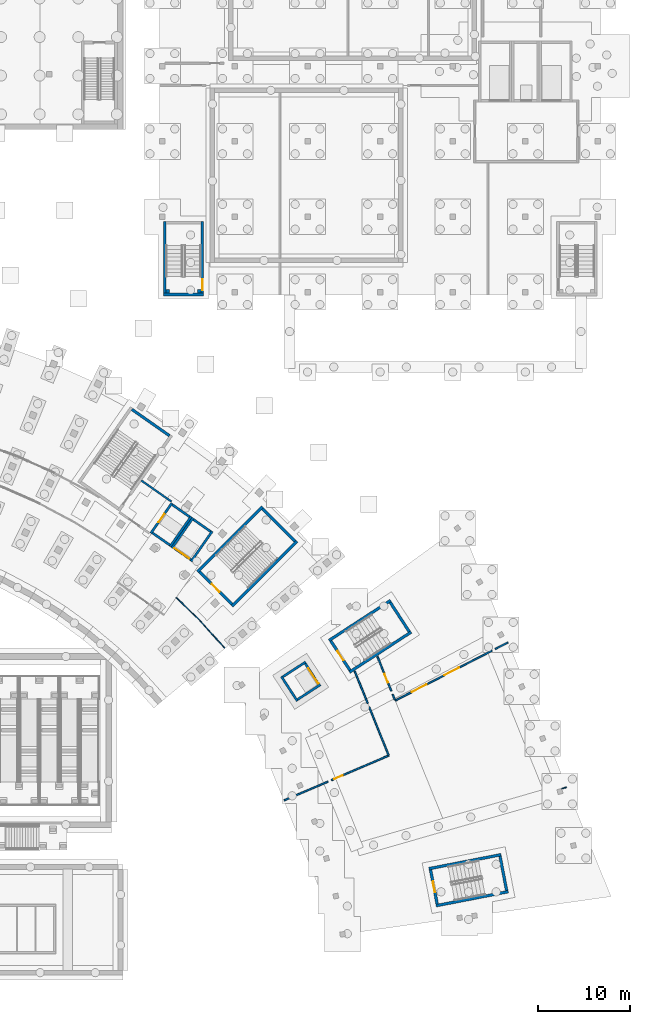
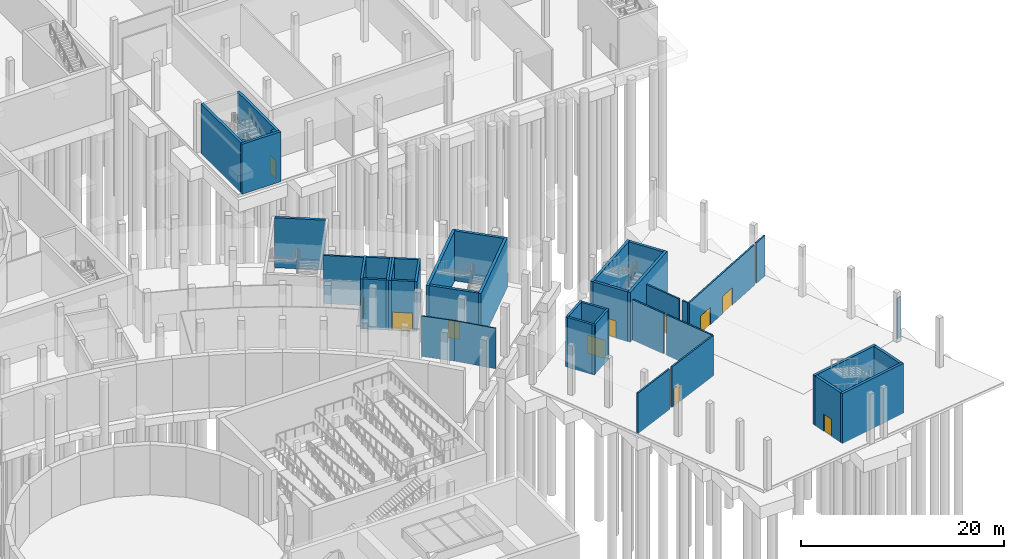
# One storey, part 28 of 66: 42 walls, 11 doors, 11 openings.
"""IFC4 building model written with IfcOpenShell, lengths in metres."""

from ifc_helpers import new_model, si_unit, direction, frame, frame_2d, origin, place, context, subcontext, project, spatial, rectangle, extrude, material, layer, layer_set, type_object, element, fill, save


model = new_model("IFC4")

# Units and contexts
model_context = context("Model", 3, precision=1e-05, world=origin(), true_north=direction((0.0, 1.0)))
body_context = subcontext(model_context, "Body", "Model", "MODEL_VIEW")
ifc_project = project(units=[si_unit("LENGTHUNIT", "METRE"), si_unit("AREAUNIT", "SQUARE_METRE"), si_unit("VOLUMEUNIT", "CUBIC_METRE"), si_unit("PLANEANGLEUNIT", "RADIAN"), si_unit("MASSUNIT", "GRAM", prefix="KILO")], contexts=[model_context])

# Site, building, storey
site_placement = place(None, origin())
site = spatial("IfcSite", under=ifc_project, at=site_placement, CompositionType="ELEMENT")
building_placement = place(site_placement, origin())
building = spatial("IfcBuilding", under=site, at=building_placement, Name="Lunette Opera House", CompositionType="ELEMENT")
storey_placement = place(building_placement, frame((0.0, 0.0, -6.0)))
storey = spatial("IfcBuildingStorey", under=building, at=storey_placement, Name="B1", CompositionType="ELEMENT", Elevation=-6.0)

# Wall
ifc_material_1 = material(Name="Plastered clay blockwork", Category="masonry")
ifc_layer_1 = layer(ifc_material_1, 0.175048828125)
ifc_layer_set_1 = layer_set([ifc_layer_1], Name="Plastered clay blockwork")
wall_type_1 = type_object("IfcWallType", Name="ACOUSTIC BLOCK PARTITION 175", PredefinedType="PARTITIONING", material=ifc_layer_set_1)
wall_1_placement = place(storey_placement, frame((172.51708984375, 39.464111328125, 0.0), z_axis=(0.0, 0.0, 1.0), x_axis=(0.888703214067, 0.458482930225, 0.0)))
element("IfcWall", 1, at=wall_1_placement, inside=storey, type_object=wall_type_1, Name="Partition Studio Understage Store", PredefinedType="PARTITIONING", context=body_context, shape_type="SweptSolid", body=[
    extrude(rectangle(XDim=1.554931640625, YDim=0.175048828125, at=frame_2d((0.77734375, 0.0))), origin(), (0.0, 0.0, 1.0), 4.8798828125),
])

# Wall, openings, doors
wall_2_placement = place(storey_placement, frame((161.635009765625, 33.85107421875, 0.0), z_axis=(0.0, 0.0, 1.0), x_axis=(0.888715235669, 0.458459627327, 0.0)))
wall_2 = element("IfcWall", 2, at=wall_2_placement, inside=storey, type_object=wall_type_1, Name="Partition Studio Understage Store", PredefinedType="PARTITIONING", context=body_context, shape_type="SweptSolid", body=[
    extrude(rectangle(XDim=11.841796875, YDim=0.175048828125, at=frame_2d((5.9208984375, 0.0))), origin(), (0.0, 0.0, 1.0), 4.8798828125),
])
opening_1_placement = place(wall_2_placement, frame((6.02490234375, 0.0, 0.0)))
opening_1 = element("IfcOpeningElement", 3, at=opening_1_placement, cuts=wall_2, Name="Opening SB-D3002", PredefinedType="OPENING", context=body_context, shape_type="SweptSolid", body=[
    extrude(rectangle(XDim=1.800048828125, YDim=2.10009765625, at=frame_2d((0.89990234375, 1.050048828125))), frame((0.0, 0.099609375, 0.0), z_axis=(0.0, -1.0, 0.0), x_axis=(1.0, 0.0, 0.0)), (0.0, 0.0, 1.0), 0.198974609375),
])
opening_2_placement = place(wall_2_placement, frame((2.02490234375, 0.0, 0.0)))
opening_2 = element("IfcOpeningElement", 4, at=opening_2_placement, cuts=wall_2, Name="Opening SB-D3003", PredefinedType="OPENING", context=body_context, shape_type="SweptSolid", body=[
    extrude(rectangle(XDim=1.800048828125, YDim=2.10009765625, at=frame_2d((0.89990234375, 1.050048828125))), frame((0.0, 0.099609375, 0.0), z_axis=(0.0, -1.0, 0.0), x_axis=(1.0, 0.0, 0.0)), (0.0, 0.0, 1.0), 0.198974609375),
])
ifc_material_2 = material(Name="Timber", Category="wood")
door_type_1 = type_object("IfcDoorType", Name="DOUBLE FLUSH DOOR 1800 X 2100", OperationType="DOUBLE_DOOR_SINGLE_SWING", PredefinedType="DOOR", material=ifc_material_2)
door_1_placement = place(opening_1_placement, origin())
door_1 = element("IfcDoor", 5, at=door_1_placement, inside=storey, type_object=door_type_1, Name="Studio Dressing Rooms Lower door", OperationType="DOUBLE_DOOR_SINGLE_SWING", OverallHeight=2.10009765625, OverallWidth=1.800048828125, PredefinedType="DOOR", context=body_context, shape_type="SweptSolid", body=[
    extrude(rectangle(XDim=1.800048828125, YDim=2.10009765625, at=frame_2d((0.89990234375, 1.050048828125))), frame((0.0, 0.02490234375, 0.0), z_axis=(0.0, -1.0, 0.0), x_axis=(1.0, 0.0, 0.0)), (0.0, 0.0, 1.0), 0.050048828125),
])
fill(opening_1, door_1)
door_2_placement = place(opening_2_placement, origin())
door_2 = element("IfcDoor", 6, at=door_2_placement, inside=storey, type_object=door_type_1, Name="Studio Dressing Rooms Lower door", OperationType="DOUBLE_DOOR_SINGLE_SWING", OverallHeight=2.10009765625, OverallWidth=1.800048828125, PredefinedType="DOOR", context=body_context, shape_type="SweptSolid", body=[
    extrude(rectangle(XDim=1.800048828125, YDim=2.10009765625, at=frame_2d((0.89990234375, 1.050048828125))), frame((0.0, 0.02490234375, 0.0), z_axis=(0.0, -1.0, 0.0), x_axis=(1.0, 0.0, 0.0)), (0.0, 0.0, 1.0), 0.050048828125),
])
fill(opening_2, door_2)

# Wall, opening, door
wall_3_placement = place(storey_placement, frame((154.68603515625, 25.193115234375, 0.0), z_axis=(0.0, 0.0, 1.0), x_axis=(0.918961170443, 0.394348028038, 0.0)))
wall_3 = element("IfcWall", 7, at=wall_3_placement, inside=storey, type_object=wall_type_1, Name="Partition Studio Plant Room", PredefinedType="PARTITIONING", context=body_context, shape_type="SweptSolid", body=[
    extrude(rectangle(XDim=6.80322265625, YDim=0.175048828125, at=frame_2d((3.401611328125, 0.0))), origin(), (0.0, 0.0, 1.0), 4.8798828125),
])
opening_3_placement = place(wall_3_placement, frame((0.3349609375, 0.0, 0.0)))
opening_3 = element("IfcOpeningElement", 8, at=opening_3_placement, cuts=wall_3, Name="Opening SB-D3004", PredefinedType="OPENING", context=body_context, shape_type="SweptSolid", body=[
    extrude(rectangle(XDim=1.0, YDim=2.10009765625, at=frame_2d((0.5, 1.050048828125))), frame((0.0, 0.099609375, 0.0), z_axis=(0.0, -1.0, 0.0), x_axis=(1.0, 0.0, 0.0)), (0.0, 0.0, 1.0), 0.198974609375),
])
ifc_material_3 = material(Name="Timber", Category="wood")
door_type_2 = type_object("IfcDoorType", Name="FLUSH DOOR 1000 X 2100", OperationType="SINGLE_SWING_LEFT", PredefinedType="DOOR", material=ifc_material_3)
door_3_placement = place(opening_3_placement, origin())
door_3 = element("IfcDoor", 9, at=door_3_placement, inside=storey, type_object=door_type_2, Name="Studio Plant Room door", OperationType="SINGLE_SWING_LEFT", OverallHeight=2.10009765625, OverallWidth=1.0, PredefinedType="DOOR", context=body_context, shape_type="SweptSolid", body=[
    extrude(rectangle(XDim=1.0, YDim=2.10009765625, at=frame_2d((0.5, 1.050048828125))), frame((0.0, 0.02490234375, 0.0), z_axis=(0.0, -1.0, 0.0), x_axis=(1.0, 0.0, 0.0)), (0.0, 0.0, 1.0), 0.050048828125),
])
fill(opening_3, door_3)

# Walls
wall_4_placement = place(storey_placement, frame((149.554931640625, 22.989990234375, 0.0), z_axis=(0.0, 0.0, 1.0), x_axis=(0.918964645879, 0.394339929026, 0.0)))
element("IfcWall", 10, at=wall_4_placement, inside=storey, type_object=wall_type_1, Name="Partition Studio Plant Room", PredefinedType="PARTITIONING", context=body_context, shape_type="SweptSolid", body=[
    extrude(rectangle(XDim=5.18310546875, YDim=0.175048828125, at=frame_2d((2.591552734375, 0.0))), origin(), (0.0, 0.0, 1.0), 4.8798828125),
])
wall_5_placement = place(storey_placement, frame((158.64990234375, 33.5390625, 0.0), z_axis=(0.0, 0.0, 1.0), x_axis=(-0.374468342404, 0.927239699612, 0.0)))
element("IfcWall", 11, at=wall_5_placement, inside=storey, type_object=wall_type_1, Name="Partition Studio Plant Room", PredefinedType="PARTITIONING", context=body_context, shape_type="SweptSolid", body=[
    extrude(rectangle(XDim=3.813232421875, YDim=0.175048828125, at=frame_2d((1.90673828125, 0.0))), origin(), (0.0, 0.0, 1.0), 4.8798828125),
])
wall_6_placement = place(storey_placement, frame((160.928955078125, 27.89794921875, 0.0), z_axis=(0.0, 0.0, 1.0), x_axis=(-0.374589531725, 0.927190747755, 0.0)))
element("IfcWall", 12, at=wall_6_placement, inside=storey, type_object=wall_type_1, Name="Partition Studio Plant Room", PredefinedType="PARTITIONING", context=body_context, shape_type="SweptSolid", body=[
    extrude(rectangle(XDim=5.6806640625, YDim=0.175048828125, at=frame_2d((2.84033203125, 0.0))), origin(), (0.0, 0.0, 1.0), 4.8798828125),
])
wall_7_placement = place(storey_placement, frame((161.362060546875, 34.527099609375, 0.0), z_axis=(0.0, 0.0, 1.0), x_axis=(0.374607966928, -0.927183299631, 0.0)))
element("IfcWall", 13, at=wall_7_placement, inside=storey, type_object=wall_type_1, Name="Partition Studio Understage Store", PredefinedType="PARTITIONING", context=body_context, shape_type="SweptSolid", body=[
    extrude(rectangle(XDim=0.640625, YDim=0.175048828125, at=frame_2d((0.3203125, 0.0))), origin(), (0.0, 0.0, 1.0), 4.8798828125),
])

# Wall, opening, door
wall_8_placement = place(storey_placement, frame((159.68603515625, 38.675048828125, 0.0), z_axis=(0.0, 0.0, 1.0), x_axis=(0.374531458348, -0.927214207563, 0.0)))
wall_8 = element("IfcWall", 14, at=wall_8_placement, inside=storey, type_object=wall_type_1, Name="Partition Studio Understage Store", PredefinedType="PARTITIONING", context=body_context, shape_type="SweptSolid", body=[
    extrude(rectangle(XDim=4.071533203125, YDim=0.175048828125, at=frame_2d((2.03564453125, 0.0))), origin(), (0.0, 0.0, 1.0), 4.8798828125),
])
opening_4_placement = place(wall_8_placement, frame((2.075927734375, 0.0, 0.0)))
opening_4 = element("IfcOpeningElement", 15, at=opening_4_placement, cuts=wall_8, Name="Opening SB-D3001", PredefinedType="OPENING", context=body_context, shape_type="SweptSolid", body=[
    extrude(rectangle(XDim=1.0, YDim=2.10009765625, at=frame_2d((0.5, 1.050048828125))), frame((0.0, 0.099609375, 0.0), z_axis=(0.0, -1.0, 0.0), x_axis=(1.0, 0.0, 0.0)), (0.0, 0.0, 1.0), 0.198974609375),
])
door_4_placement = place(opening_4_placement, origin())
door_4 = element("IfcDoor", 16, at=door_4_placement, inside=storey, type_object=door_type_2, Name="Studio Understage Store door", OperationType="SINGLE_SWING_RIGHT", OverallHeight=2.10009765625, OverallWidth=1.0, PredefinedType="DOOR", context=body_context, shape_type="SweptSolid", body=[
    extrude(rectangle(XDim=1.0, YDim=2.10009765625, at=frame_2d((0.5, 1.050048828125))), frame((0.0, 0.02490234375, 0.0), z_axis=(0.0, -1.0, 0.0), x_axis=(1.0, 0.0, 0.0)), (0.0, 0.0, 1.0), 0.050048828125),
])
fill(opening_4, door_4)

# Walls
ifc_material_4 = material(Name="Concrete C35/45", Category="concrete")
ifc_layer_2 = layer(ifc_material_4, 0.199951171875)
ifc_layer_set_2 = layer_set([ifc_layer_2], Name="Concrete C35/45")
wall_type_2 = type_object("IfcWallType", Name="LOBBY WALL 200", PredefinedType="PARTITIONING", material=ifc_layer_set_2)
wall_9_placement = place(storey_placement, frame((137.284912109375, 55.508056640625, 0.0), z_axis=(0.0, 0.0, 1.0), x_axis=(-0.819125561737, 0.573614255497, 0.0)))
element("IfcWall", 17, at=wall_9_placement, inside=storey, type_object=wall_type_2, Name="FL1 lobby wall 3a", PredefinedType="PARTITIONING", context=body_context, shape_type="SweptSolid", body=[
    extrude(rectangle(XDim=3.990478515625, YDim=0.199951171875, at=frame_2d((1.9951171875, 0.0))), origin(), (0.0, 0.0, 1.0), 5.780029296875),
])
ifc_material_5 = material(Name="Concrete C35/45", Category="concrete")
ifc_layer_3 = layer(ifc_material_5, 0.25)
ifc_layer_set_3 = layer_set([ifc_layer_3], Name="Concrete C35/45")
wall_type_3 = type_object("IfcWallType", Name="RC LIFT SHAFT WALL 250", PredefinedType="SOLIDWALL", material=ifc_layer_set_3)
wall_10_placement = place(storey_placement, frame((135.22509765625, 52.097900390625, 0.0), z_axis=(0.0, 0.0, 1.0), x_axis=(0.819366508838, -0.573270027295, 0.0)))
element("IfcWall", 18, at=wall_10_placement, inside=storey, type_object=wall_type_3, Name="FL1 shaft wall 1", PredefinedType="SOLIDWALL", context=body_context, shape_type="SweptSolid", body=[
    extrude(rectangle(XDim=2.300537109375, YDim=0.25, at=frame_2d((1.150390625, 0.0))), origin(), (0.0, 0.0, 1.0), 6.0),
])
wall_11_placement = place(storey_placement, frame((137.14111328125, 50.60498046875, 0.0), z_axis=(0.0, 0.0, 1.0), x_axis=(0.573572956461, 0.819154480923, 0.0)))
element("IfcWall", 19, at=wall_11_placement, inside=storey, type_object=wall_type_3, Name="FL1 shaft wall 2", PredefinedType="SOLIDWALL", context=body_context, shape_type="SweptSolid", body=[
    extrude(rectangle(XDim=3.99951171875, YDim=0.25, at=frame_2d((1.999755859375, 0.0))), origin(), (0.0, 0.0, 1.0), 6.0),
])
wall_12_placement = place(storey_placement, frame((139.260986328125, 53.85009765625, 0.0), z_axis=(0.0, 0.0, 1.0), x_axis=(-0.819226933165, 0.573469469089, 0.0)))
element("IfcWall", 20, at=wall_12_placement, inside=storey, type_object=wall_type_3, Name="FL1 shaft wall 3", PredefinedType="SOLIDWALL", context=body_context, shape_type="SweptSolid", body=[
    extrude(rectangle(XDim=2.2998046875, YDim=0.25, at=frame_2d((1.14990234375, 0.0))), origin(), (0.0, 0.0, 1.0), 6.0),
])

# Wall, opening, door
wall_13_placement = place(storey_placement, frame((137.345947265625, 55.343017578125, 0.0), z_axis=(0.0, 0.0, 1.0), x_axis=(-0.573736768582, -0.819039755065, 0.0)))
wall_13 = element("IfcWall", 21, at=wall_13_placement, inside=storey, type_object=wall_type_3, Name="FL1 shaft wall 4", PredefinedType="SOLIDWALL", context=body_context, shape_type="SweptSolid", body=[
    extrude(rectangle(XDim=4.0, YDim=0.25, at=frame_2d((2.0, 0.0))), origin(), (0.0, 0.0, 1.0), 6.0),
])
opening_5_placement = place(wall_13_placement, frame((1.449951171875, 0.0, 0.0)))
opening_5 = element("IfcOpeningElement", 22, at=opening_5_placement, cuts=wall_13, Name="Opening FC-LD001", PredefinedType="OPENING", context=body_context, shape_type="SweptSolid", body=[
    extrude(rectangle(XDim=1.10009765625, YDim=2.10009765625, at=frame_2d((0.550048828125, 1.050048828125))), frame((0.0, 0.136962890625, 0.0), z_axis=(0.0, -1.0, 0.0), x_axis=(1.0, 0.0, 0.0)), (0.0, 0.0, 1.0), 0.27392578125),
])
ifc_material_6 = material(Name="Stainless steel", Category="steel")
door_type_3 = type_object("IfcDoorType", Name="LIFT LANDING DOOR 1100 X 2100", OperationType="DOUBLE_DOOR_SLIDING", PredefinedType="DOOR", material=ifc_material_6)
door_5_placement = place(opening_5_placement, origin())
door_5 = element("IfcDoor", 23, at=door_5_placement, inside=storey, type_object=door_type_3, Name="FL1 lift landing door", OperationType="DOUBLE_DOOR_SLIDING", OverallHeight=2.10009765625, OverallWidth=1.10009765625, PredefinedType="DOOR", context=body_context, shape_type="SweptSolid", body=[
    extrude(rectangle(XDim=1.10009765625, YDim=2.10009765625, at=frame_2d((0.550048828125, 1.050048828125))), frame((0.0, 0.02490234375, 0.0), z_axis=(0.0, -1.0, 0.0), x_axis=(1.0, 0.0, 0.0)), (0.0, 0.0, 1.0), 0.050048828125),
])
fill(opening_5, door_5)

wall_14_placement = place(storey_placement, frame((137.51904296875, 50.491943359375, 0.0), z_axis=(0.0, 0.0, 1.0), x_axis=(0.819366508838, -0.573270027295, 0.0)))
wall_14 = element("IfcWall", 24, at=wall_14_placement, inside=storey, type_object=wall_type_3, Name="LF2 shaft wall 1", PredefinedType="SOLIDWALL", context=body_context, shape_type="SweptSolid", body=[
    extrude(rectangle(XDim=2.300537109375, YDim=0.25, at=frame_2d((1.150390625, 0.0))), origin(), (0.0, 0.0, 1.0), 6.0),
])
opening_6_placement = place(wall_14_placement, frame((0.10009765625, 0.0, 0.0)))
opening_6 = element("IfcOpeningElement", 25, at=opening_6_placement, cuts=wall_14, Name="Opening FC-LD019", PredefinedType="OPENING", context=body_context, shape_type="SweptSolid", body=[
    extrude(rectangle(XDim=2.0, YDim=2.199951171875, at=frame_2d((1.0, 1.10009765625))), frame((0.0, 0.136962890625, 0.0), z_axis=(0.0, -1.0, 0.0), x_axis=(1.0, 0.0, 0.0)), (0.0, 0.0, 1.0), 0.27392578125),
])
ifc_material_7 = material(Name="Stainless steel", Category="steel")
door_type_4 = type_object("IfcDoorType", Name="LIFT LANDING DOOR 2000 X 2200", OperationType="DOUBLE_DOOR_SLIDING", PredefinedType="DOOR", material=ifc_material_7)
door_6_placement = place(opening_6_placement, origin())
door_6 = element("IfcDoor", 26, at=door_6_placement, inside=storey, type_object=door_type_4, Name="LF2 lift landing door", OperationType="DOUBLE_DOOR_SLIDING", OverallHeight=2.199951171875, OverallWidth=2.0, PredefinedType="DOOR", context=body_context, shape_type="SweptSolid", body=[
    extrude(rectangle(XDim=2.0, YDim=2.199951171875, at=frame_2d((1.0, 1.10009765625))), frame((0.0, 0.02490234375, 0.0), z_axis=(0.0, -1.0, 0.0), x_axis=(1.0, 0.0, 0.0)), (0.0, 0.0, 1.0), 0.050048828125),
])
fill(opening_6, door_6)

# Walls
wall_15_placement = place(storey_placement, frame((139.43505859375, 48.9990234375, 0.0), z_axis=(0.0, 0.0, 1.0), x_axis=(0.57360163893, 0.819134396675, 0.0)))
element("IfcWall", 27, at=wall_15_placement, inside=storey, type_object=wall_type_3, Name="LF2 shaft wall 2", PredefinedType="SOLIDWALL", context=body_context, shape_type="SweptSolid", body=[
    extrude(rectangle(XDim=3.999267578125, YDim=0.25, at=frame_2d((1.99951171875, 0.0))), origin(), (0.0, 0.0, 1.0), 6.0),
])
wall_16_placement = place(storey_placement, frame((141.554931640625, 52.243896484375, 0.0), z_axis=(0.0, 0.0, 1.0), x_axis=(-0.819316661421, 0.57334126689, 0.0)))
element("IfcWall", 28, at=wall_16_placement, inside=storey, type_object=wall_type_3, Name="LF2 shaft wall 3", PredefinedType="SOLIDWALL", context=body_context, shape_type="SweptSolid", body=[
    extrude(rectangle(XDim=2.30078125, YDim=0.25, at=frame_2d((1.150390625, 0.0))), origin(), (0.0, 0.0, 1.0), 6.0),
])
wall_17_placement = place(storey_placement, frame((139.638916015625, 53.737060546875, 0.0), z_axis=(0.0, 0.0, 1.0), x_axis=(-0.573572956461, -0.819154480923, 0.0)))
element("IfcWall", 29, at=wall_17_placement, inside=storey, type_object=wall_type_3, Name="LF2 shaft wall 4", PredefinedType="SOLIDWALL", context=body_context, shape_type="SweptSolid", body=[
    extrude(rectangle(XDim=3.99951171875, YDim=0.25, at=frame_2d((1.999755859375, 0.0))), origin(), (0.0, 0.0, 1.0), 6.0),
])
for number, where, z_axis, x_axis, name in (
    (30, (149.243896484375, 36.485107421875, 0.0), (0.0, 0.0, 1.0), (0.54466119011, -0.838656179842, 0.0), "LF8 shaft wall 1"),
    (31, (150.81396484375, 33.837890625, 0.0), (0.0, 0.0, 1.0), (0.838656179842, 0.54466119011, 0.0), "LF8 shaft wall 2"),
):
    element("IfcWall", number, at=place(storey_placement, frame(where, z_axis=z_axis, x_axis=x_axis)), inside=storey, type_object=wall_type_3, Name=name, PredefinedType="SOLIDWALL", context=body_context, shape_type="SweptSolid", body=[
        extrude(rectangle(XDim=3.200439453125, YDim=0.25, at=frame_2d((1.60009765625, 0.0))), origin(), (0.0, 0.0, 1.0), 6.0),
    ])

# Wall, opening, door
wall_18_placement = place(storey_placement, frame((153.4609375, 35.407958984375, 0.0), z_axis=(0.0, 0.0, 1.0), x_axis=(-0.544746938909, 0.838600484467, 0.0)))
wall_18 = element("IfcWall", 32, at=wall_18_placement, inside=storey, type_object=wall_type_3, Name="LF8 shaft wall 3", PredefinedType="SOLIDWALL", context=body_context, shape_type="SweptSolid", body=[
    extrude(rectangle(XDim=3.199462890625, YDim=0.25, at=frame_2d((1.599609375, 0.0))), origin(), (0.0, 0.0, 1.0), 6.0),
])
opening_7_placement = place(wall_18_placement, frame((0.35009765625, 0.0, 0.0)))
opening_7 = element("IfcOpeningElement", 33, at=opening_7_placement, cuts=wall_18, Name="Opening SB-LD001", PredefinedType="OPENING", context=body_context, shape_type="SweptSolid", body=[
    extrude(rectangle(XDim=2.0, YDim=2.199951171875, at=frame_2d((1.0, 1.10009765625))), frame((0.0, 0.136962890625, 0.0), z_axis=(0.0, -1.0, 0.0), x_axis=(1.0, 0.0, 0.0)), (0.0, 0.0, 1.0), 0.27392578125),
])
door_7_placement = place(opening_7_placement, origin())
door_7 = element("IfcDoor", 34, at=door_7_placement, inside=storey, type_object=door_type_4, Name="LF8 lift landing door", OperationType="DOUBLE_DOOR_SLIDING", OverallHeight=2.199951171875, OverallWidth=2.0, PredefinedType="DOOR", context=body_context, shape_type="SweptSolid", body=[
    extrude(rectangle(XDim=2.0, YDim=2.199951171875, at=frame_2d((1.0, 1.10009765625))), frame((0.0, 0.02490234375, 0.0), z_axis=(0.0, -1.0, 0.0), x_axis=(1.0, 0.0, 0.0)), (0.0, 0.0, 1.0), 0.050048828125),
])
fill(opening_7, door_7)

# Walls
wall_19_placement = place(storey_placement, frame((151.89111328125, 38.053955078125, 0.0), z_axis=(0.0, 0.0, 1.0), x_axis=(-0.838830397361, -0.544392840201, 0.0)))
element("IfcWall", 35, at=wall_19_placement, inside=storey, type_object=wall_type_3, Name="LF8 shaft wall 4", PredefinedType="SOLIDWALL", context=body_context, shape_type="SweptSolid", body=[
    extrude(rectangle(XDim=3.19970703125, YDim=0.25, at=frame_2d((1.599853515625, 0.0))), origin(), (0.0, 0.0, 1.0), 6.0),
])
ifc_material_8 = material(Name="Concrete C35/45", Category="concrete")
ifc_layer_4 = layer(ifc_material_8, 0.39990234375)
ifc_layer_set_4 = layer_set([ifc_layer_4], Name="Concrete C35/45")
wall_type_4 = type_object("IfcWallType", Name="RC PILASTER 400", PredefinedType="SOLIDWALL", material=ifc_layer_set_4)
wall_20_placement = place(storey_placement, frame((136.699951171875, 78.39990234375, 0.0), z_axis=(0.0, 0.0, 1.0), x_axis=(1.0, 0.0, 0.0)))
element("IfcWall", 36, at=wall_20_placement, inside=storey, type_object=wall_type_4, Name="ST18 pilaster 1", PredefinedType="SOLIDWALL", context=body_context, shape_type="SweptSolid", body=[
    extrude(rectangle(XDim=0.400146484375, YDim=0.39990234375, at=frame_2d((0.2001953125, 0.0))), origin(), (0.0, 0.0, 1.0), 6.0),
])
wall_21_placement = place(storey_placement, frame((140.10009765625, 78.39990234375, 0.0), z_axis=(0.0, 0.0, 1.0), x_axis=(1.0, 0.0, 0.0)))
element("IfcWall", 37, at=wall_21_placement, inside=storey, type_object=wall_type_4, Name="ST18 pilaster 2", PredefinedType="SOLIDWALL", context=body_context, shape_type="SweptSolid", body=[
    extrude(rectangle(XDim=0.39990234375, YDim=0.39990234375, at=frame_2d((0.199951171875, 0.0))), origin(), (0.0, 0.0, 1.0), 6.0),
])

# Wall, opening, door
ifc_material_9 = material(Name="Concrete C35/45", Category="concrete")
ifc_layer_5 = layer(ifc_material_9, 0.300048828125)
ifc_layer_set_5 = layer_set([ifc_layer_5], Name="Concrete C35/45")
wall_type_5 = type_object("IfcWallType", Name="RC STAIR ENCLOSURE WALL 300", PredefinedType="SOLIDWALL", material=ifc_layer_set_5)
wall_22_placement = place(storey_placement, frame((140.64990234375, 78.199951171875, 0.0), z_axis=(0.0, 0.0, 1.0), x_axis=(0.0, 1.0, 0.0)))
wall_22 = element("IfcWall", 38, at=wall_22_placement, inside=storey, type_object=wall_type_5, Name="ST18 enclosure wall 1", PredefinedType="SOLIDWALL", context=body_context, shape_type="SweptSolid", body=[
    extrude(rectangle(XDim=7.800048828125, YDim=0.300048828125, at=frame_2d((3.89990234375, 0.0))), origin(), (0.0, 0.0, 1.0), 6.0),
])
opening_8_placement = place(wall_22_placement, frame((0.300048828125, 0.0, 0.0)))
opening_8 = element("IfcOpeningElement", 39, at=opening_8_placement, cuts=wall_22, Name="Opening WW-D7001", PredefinedType="OPENING", context=body_context, shape_type="SweptSolid", body=[
    extrude(rectangle(XDim=1.199951171875, YDim=2.10009765625, at=frame_2d((0.60009765625, 1.050048828125))), frame((0.0, 0.162109375, 0.0), z_axis=(0.0, -1.0, 0.0), x_axis=(1.0, 0.0, 0.0)), (0.0, 0.0, 1.0), 0.323974609375),
])
ifc_material_10 = material(Name="Steel", Category="steel")
door_type_5 = type_object("IfcDoorType", Name="FIRE DOOR 1200 X 2100", OperationType="SINGLE_SWING_LEFT", PredefinedType="DOOR", material=ifc_material_10)
door_8_placement = place(opening_8_placement, origin())
door_8 = element("IfcDoor", 40, at=door_8_placement, inside=storey, type_object=door_type_5, Name="ST18 stair door", OperationType="SINGLE_SWING_LEFT", OverallHeight=2.10009765625, OverallWidth=1.199951171875, PredefinedType="DOOR", context=body_context, shape_type="SweptSolid", body=[
    extrude(rectangle(XDim=1.199951171875, YDim=2.10009765625, at=frame_2d((0.60009765625, 1.050048828125))), frame((0.0, 0.02490234375, 0.0), z_axis=(0.0, -1.0, 0.0), x_axis=(1.0, 0.0, 0.0)), (0.0, 0.0, 1.0), 0.050048828125),
])
fill(opening_8, door_8)

# Walls
wall_23_placement = place(storey_placement, frame((136.550048828125, 86.0, 0.0), z_axis=(0.0, 0.0, 1.0), x_axis=(0.0, -1.0, 0.0)))
element("IfcWall", 41, at=wall_23_placement, inside=storey, type_object=wall_type_5, Name="ST18 enclosure wall 3", PredefinedType="SOLIDWALL", context=body_context, shape_type="SweptSolid", body=[
    extrude(rectangle(XDim=7.800048828125, YDim=0.300048828125, at=frame_2d((3.89990234375, 0.0))), origin(), (0.0, 0.0, 1.0), 6.0),
])
wall_24_placement = place(storey_placement, frame((136.39990234375, 78.050048828125, 0.0), z_axis=(0.0, 0.0, 1.0), x_axis=(1.0, 0.0, 0.0)))
element("IfcWall", 42, at=wall_24_placement, inside=storey, type_object=wall_type_5, Name="ST18 enclosure wall 4", PredefinedType="SOLIDWALL", context=body_context, shape_type="SweptSolid", body=[
    extrude(rectangle(XDim=4.400146484375, YDim=0.300048828125, at=frame_2d((2.2001953125, 0.0))), origin(), (0.0, 0.0, 1.0), 6.0),
])

# Wall, opening, door
wall_25_placement = place(storey_placement, frame((154.635986328125, 40.343994140625, 0.0), z_axis=(0.0, 0.0, 1.0), x_axis=(0.544712834543, -0.838622637355, 0.0)))
wall_25 = element("IfcWall", 43, at=wall_25_placement, inside=storey, type_object=wall_type_5, Name="ST21 enclosure wall 1", PredefinedType="SOLIDWALL", context=body_context, shape_type="SweptSolid", body=[
    extrude(rectangle(XDim=3.80029296875, YDim=0.300048828125, at=frame_2d((1.900146484375, 0.0))), origin(), (0.0, 0.0, 1.0), 6.0),
])
opening_9_placement = place(wall_25_placement, frame((1.300048828125, 0.0, 0.0)))
opening_9 = element("IfcOpeningElement", 44, at=opening_9_placement, cuts=wall_25, Name="Opening SB-D7001", PredefinedType="OPENING", context=body_context, shape_type="SweptSolid", body=[
    extrude(rectangle(XDim=1.199951171875, YDim=2.10009765625, at=frame_2d((0.60009765625, 1.050048828125))), frame((0.0, 0.162109375, 0.0), z_axis=(0.0, -1.0, 0.0), x_axis=(1.0, 0.0, 0.0)), (0.0, 0.0, 1.0), 0.323974609375),
])
door_9_placement = place(opening_9_placement, origin())
door_9 = element("IfcDoor", 45, at=door_9_placement, inside=storey, type_object=door_type_5, Name="ST21 stair door", OperationType="SINGLE_SWING_LEFT", OverallHeight=2.10009765625, OverallWidth=1.199951171875, PredefinedType="DOOR", context=body_context, shape_type="SweptSolid", body=[
    extrude(rectangle(XDim=1.199951171875, YDim=2.10009765625, at=frame_2d((0.60009765625, 1.050048828125))), frame((0.0, 0.02490234375, 0.0), z_axis=(0.0, -1.0, 0.0), x_axis=(1.0, 0.0, 0.0)), (0.0, 0.0, 1.0), 0.050048828125),
])
fill(opening_9, door_9)

# Walls
wall_26_placement = place(storey_placement, frame((156.662109375, 36.949951171875, 0.0), z_axis=(0.0, 0.0, 1.0), x_axis=(0.838666673849, 0.544645031351, 0.0)))
element("IfcWall", 46, at=wall_26_placement, inside=storey, type_object=wall_type_5, Name="ST21 enclosure wall 2", PredefinedType="SOLIDWALL", context=body_context, shape_type="SweptSolid", body=[
    extrude(rectangle(XDim=7.99951171875, YDim=0.300048828125, at=frame_2d((3.999755859375, 0.0))), origin(), (0.0, 0.0, 1.0), 6.0),
])
wall_27_placement = place(storey_placement, frame((163.1640625, 41.35107421875, 0.0), z_axis=(0.0, 0.0, 1.0), x_axis=(-0.544414712312, 0.838816202167, 0.0)))
element("IfcWall", 47, at=wall_27_placement, inside=storey, type_object=wall_type_5, Name="ST21 enclosure wall 3", PredefinedType="SOLIDWALL", context=body_context, shape_type="SweptSolid", body=[
    extrude(rectangle(XDim=3.800537109375, YDim=0.300048828125, at=frame_2d((1.900390625, 0.0))), origin(), (0.0, 0.0, 1.0), 6.0),
])
wall_28_placement = place(storey_placement, frame((161.138916015625, 44.74609375, 0.0), z_axis=(0.0, 0.0, 1.0), x_axis=(-0.838633189021, -0.544696589187, 0.0)))
element("IfcWall", 48, at=wall_28_placement, inside=storey, type_object=wall_type_5, Name="ST21 enclosure wall 4", PredefinedType="SOLIDWALL", context=body_context, shape_type="SweptSolid", body=[
    extrude(rectangle(XDim=8.0009765625, YDim=0.300048828125, at=frame_2d((4.00048828125, 0.0))), origin(), (0.0, 0.0, 1.0), 6.0),
])

# Wall, opening, door
wall_29_placement = place(storey_placement, frame((165.47998046875, 15.44091796875, 0.0), z_axis=(0.0, 0.0, 1.0), x_axis=(0.190824946063, -0.981624082814, 0.0)))
wall_29 = element("IfcWall", 49, at=wall_29_placement, inside=storey, type_object=wall_type_5, Name="ST22 enclosure wall 1", PredefinedType="SOLIDWALL", context=body_context, shape_type="SweptSolid", body=[
    extrude(rectangle(XDim=3.7998046875, YDim=0.300048828125, at=frame_2d((1.89990234375, 0.0))), origin(), (0.0, 0.0, 1.0), 6.0),
])
opening_10_placement = place(wall_29_placement, frame((1.300048828125, 0.0, 0.0)))
opening_10 = element("IfcOpeningElement", 50, at=opening_10_placement, cuts=wall_29, Name="Opening SB-D7006", PredefinedType="OPENING", context=body_context, shape_type="SweptSolid", body=[
    extrude(rectangle(XDim=1.199951171875, YDim=2.10009765625, at=frame_2d((0.60009765625, 1.050048828125))), frame((0.0, 0.162109375, 0.0), z_axis=(0.0, -1.0, 0.0), x_axis=(1.0, 0.0, 0.0)), (0.0, 0.0, 1.0), 0.323974609375),
])
door_10_placement = place(opening_10_placement, origin())
door_10 = element("IfcDoor", 51, at=door_10_placement, inside=storey, type_object=door_type_5, Name="ST22 stair door", OperationType="SINGLE_SWING_LEFT", OverallHeight=2.10009765625, OverallWidth=1.199951171875, PredefinedType="DOOR", context=body_context, shape_type="SweptSolid", body=[
    extrude(rectangle(XDim=1.199951171875, YDim=2.10009765625, at=frame_2d((0.60009765625, 1.050048828125))), frame((0.0, 0.02490234375, 0.0), z_axis=(0.0, -1.0, 0.0), x_axis=(1.0, 0.0, 0.0)), (0.0, 0.0, 1.0), 0.050048828125),
])
fill(opening_10, door_10)

# Walls
wall_30_placement = place(storey_placement, frame((166.0859375, 11.534912109375, 0.0), z_axis=(0.0, 0.0, 1.0), x_axis=(0.981635396686, 0.190766737073, 0.0)))
element("IfcWall", 52, at=wall_30_placement, inside=storey, type_object=wall_type_5, Name="ST22 enclosure wall 2", PredefinedType="SOLIDWALL", context=body_context, shape_type="SweptSolid", body=[
    extrude(rectangle(XDim=8.0, YDim=0.300048828125, at=frame_2d((4.0, 0.0))), origin(), (0.0, 0.0, 1.0), 6.0),
])
wall_31_placement = place(storey_placement, frame((173.763916015625, 13.179931640625, 0.0), z_axis=(0.0, 0.0, 1.0), x_axis=(-0.190763033741, 0.981636116368, 0.0)))
element("IfcWall", 53, at=wall_31_placement, inside=storey, type_object=wall_type_5, Name="ST22 enclosure wall 3", PredefinedType="SOLIDWALL", context=body_context, shape_type="SweptSolid", body=[
    extrude(rectangle(XDim=3.7998046875, YDim=0.300048828125, at=frame_2d((1.89990234375, 0.0))), origin(), (0.0, 0.0, 1.0), 6.0),
])
wall_32_placement = place(storey_placement, frame((173.157958984375, 17.0859375, 0.0), z_axis=(0.0, 0.0, 1.0), x_axis=(-0.981641111144, -0.190737329623, 0.0)))
element("IfcWall", 54, at=wall_32_placement, inside=storey, type_object=wall_type_5, Name="ST22 enclosure wall 4", PredefinedType="SOLIDWALL", context=body_context, shape_type="SweptSolid", body=[
    extrude(rectangle(XDim=8.0, YDim=0.300048828125, at=frame_2d((4.0, 0.0))), origin(), (0.0, 0.0, 1.0), 6.0),
])
wall_33_placement = place(storey_placement, frame((137.076904296875, 62.674072265625, 0.0), z_axis=(0.0, 0.0, 1.0), x_axis=(-0.819160804606, 0.573563925118, 0.0)))
element("IfcWall", 55, at=wall_33_placement, inside=storey, type_object=wall_type_5, Name="ST3 enclosure wall 3", PredefinedType="SOLIDWALL", context=body_context, shape_type="SweptSolid", body=[
    extrude(rectangle(XDim=5.000244140625, YDim=0.300048828125, at=frame_2d((2.5, 0.0))), origin(), (0.0, 0.0, 1.0), 6.0),
])

# Wall, opening, door
wall_34_placement = place(storey_placement, frame((140.3349609375, 47.87109375, 0.0), z_axis=(0.0, 0.0, 1.0), x_axis=(0.707106781187, -0.707106781187, 0.0)))
wall_34 = element("IfcWall", 56, at=wall_34_placement, inside=storey, type_object=wall_type_5, Name="ST4 enclosure wall 1", PredefinedType="SOLIDWALL", context=body_context, shape_type="SweptSolid", body=[
    extrude(rectangle(XDim=5.000732421875, YDim=0.300048828125, at=frame_2d((2.50048828125, 0.0))), origin(), (0.0, 0.0, 1.0), 6.0),
])
opening_11_placement = place(wall_34_placement, frame((1.89990234375, 0.0, 0.0)))
opening_11 = element("IfcOpeningElement", 57, at=opening_11_placement, cuts=wall_34, Name="Opening FC-D7025", PredefinedType="OPENING", context=body_context, shape_type="SweptSolid", body=[
    extrude(rectangle(XDim=1.199951171875, YDim=2.10009765625, at=frame_2d((0.60009765625, 1.050048828125))), frame((0.0, 0.162109375, 0.0), z_axis=(0.0, -1.0, 0.0), x_axis=(1.0, 0.0, 0.0)), (0.0, 0.0, 1.0), 0.323974609375),
])
door_11_placement = place(opening_11_placement, origin())
door_11 = element("IfcDoor", 58, at=door_11_placement, inside=storey, type_object=door_type_5, Name="ST4 stair door", OperationType="SINGLE_SWING_LEFT", OverallHeight=2.10009765625, OverallWidth=1.199951171875, PredefinedType="DOOR", context=body_context, shape_type="SweptSolid", body=[
    extrude(rectangle(XDim=1.199951171875, YDim=2.10009765625, at=frame_2d((0.60009765625, 1.050048828125))), frame((0.0, 0.02490234375, 0.0), z_axis=(0.0, -1.0, 0.0), x_axis=(1.0, 0.0, 0.0)), (0.0, 0.0, 1.0), 0.050048828125),
])
fill(opening_11, door_11)

# Walls
wall_35_placement = place(storey_placement, frame((143.87109375, 44.123046875, 0.0), z_axis=(0.0, 0.0, 1.0), x_axis=(0.7070945738, 0.707118988363, 0.0)))
element("IfcWall", 59, at=wall_35_placement, inside=storey, type_object=wall_type_5, Name="ST4 enclosure wall 2", PredefinedType="SOLIDWALL", context=body_context, shape_type="SweptSolid", body=[
    extrude(rectangle(XDim=9.999755859375, YDim=0.300048828125, at=frame_2d((5.0, 0.0))), origin(), (0.0, 0.0, 1.0), 6.0),
])
wall_36_placement = place(storey_placement, frame((150.72998046875, 51.194091796875, 0.0), z_axis=(0.0, 0.0, 1.0), x_axis=(-0.707106781187, 0.707106781187, 0.0)))
element("IfcWall", 60, at=wall_36_placement, inside=storey, type_object=wall_type_5, Name="ST4 enclosure wall 3", PredefinedType="SOLIDWALL", context=body_context, shape_type="SweptSolid", body=[
    extrude(rectangle(XDim=5.00048828125, YDim=0.300048828125, at=frame_2d((2.500244140625, 0.0))), origin(), (0.0, 0.0, 1.0), 6.0),
])
wall_37_placement = place(storey_placement, frame((147.194091796875, 54.94189453125, 0.0), z_axis=(0.0, 0.0, 1.0), x_axis=(-0.707118988363, -0.7070945738, 0.0)))
element("IfcWall", 61, at=wall_37_placement, inside=storey, type_object=wall_type_5, Name="ST4 enclosure wall 4", PredefinedType="SOLIDWALL", context=body_context, shape_type="SweptSolid", body=[
    extrude(rectangle(XDim=9.999755859375, YDim=0.300048828125, at=frame_2d((5.0, 0.0))), origin(), (0.0, 0.0, 1.0), 6.0),
])
ifc_material_11 = material(Name="Gypsum board on steel studs", Category="steel")
ifc_layer_6 = layer(ifc_material_11, 0.10009765625)
ifc_layer_set_6 = layer_set([ifc_layer_6], Name="Gypsum board on steel studs")
wall_type_6 = type_object("IfcWallType", Name="STUD PARTITION 100", PredefinedType="PARTITIONING", material=ifc_layer_set_6)
wall_38_placement = place(storey_placement, frame((180.26611328125, 24.41796875, 0.0), z_axis=(0.0, 0.0, 1.0), x_axis=(-0.960678409091, -0.277663455117, 0.0)))
element("IfcWall", 62, at=wall_38_placement, inside=storey, type_object=wall_type_6, Name="Partition Studio Service Corridor", PredefinedType="PARTITIONING", context=body_context, shape_type="SweptSolid", body=[
    extrude(rectangle(XDim=0.52587890625, YDim=0.10009765625, at=frame_2d((0.262939453125, 0.0))), origin(), (0.0, 0.0, 1.0), 4.8798828125),
])
wall_39_placement = place(storey_placement, frame((140.239013671875, 42.720947265625, 0.0), z_axis=(0.0, 0.0, 1.0), x_axis=(0.669136395798, -0.743139612602, 0.0)))
element("IfcWall", 63, at=wall_39_placement, inside=storey, type_object=wall_type_6, Name="Partition Lower Foyer Rear", PredefinedType="PARTITIONING", context=body_context, shape_type="SweptSolid", body=[
    extrude(rectangle(XDim=4.24267578125, YDim=0.10009765625, at=frame_2d((2.121337890625, 0.0))), origin(), (0.0, 0.0, 1.0), 4.8798828125),
])
wall_40_placement = place(storey_placement, frame((137.81103515625, 45.06689453125, 0.0), z_axis=(0.0, 0.0, 1.0), x_axis=(0.719150966755, -0.694853860186, 0.0)))
element("IfcWall", 64, at=wall_40_placement, inside=storey, type_object=wall_type_6, Name="Partition Lower Foyer Rear", PredefinedType="PARTITIONING", context=body_context, shape_type="SweptSolid", body=[
    extrude(rectangle(XDim=3.376220703125, YDim=0.10009765625, at=frame_2d((1.68798828125, 0.0))), origin(), (0.0, 0.0, 1.0), 4.8798828125),
])

save(model, "model.ifc")
